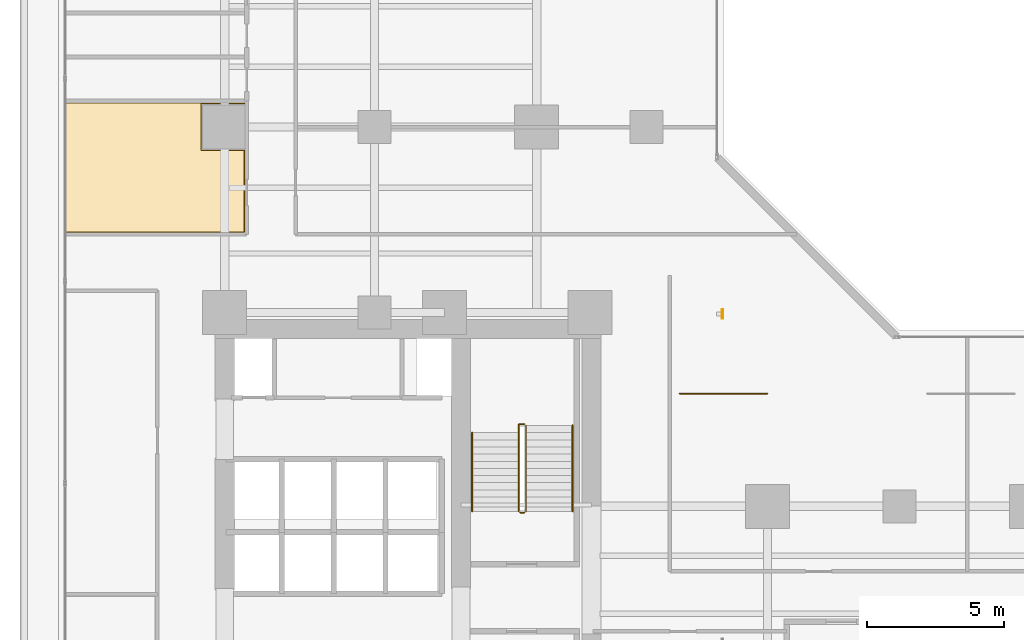
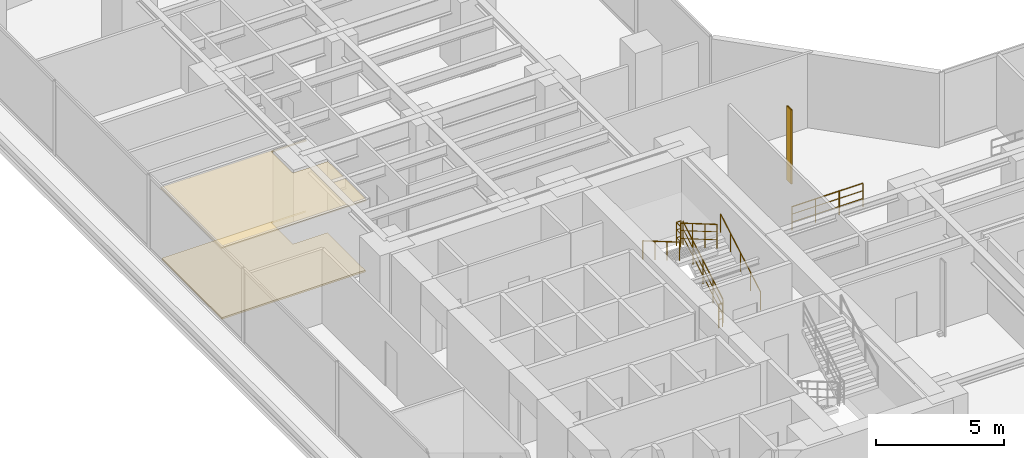
# One storey, part 28 of 29: 7 railings, 2 coverings, 1 shading device.
"""IFC4 building model written with IfcOpenShell, lengths in metres."""

from ifc_helpers import new_model, si_unit, direction, frame, origin, origin_2d, place, context, subcontext, project, spatial, polyline, hollow_rectangle, circle, outline, extrude, material, layer, layer_set, material_profile, profile_set, type_object, element, save


model = new_model("IFC4")

# Units and contexts
model_context = context("Model", 3, precision=1e-05, world=origin(), true_north=direction((0.0, 1.0)))
body_context = subcontext(model_context, "Body", "Model", "MODEL_VIEW")
ifc_project = project(units=[si_unit("LENGTHUNIT", "METRE"), si_unit("AREAUNIT", "SQUARE_METRE"), si_unit("VOLUMEUNIT", "CUBIC_METRE"), si_unit("PLANEANGLEUNIT", "RADIAN"), si_unit("MASSUNIT", "GRAM", prefix="KILO")], contexts=[model_context])

# Site, building, storey
site_placement = place(None, origin())
site = spatial("IfcSite", under=ifc_project, at=site_placement, CompositionType="ELEMENT")
building_placement = place(site_placement, origin())
building = spatial("IfcBuilding", under=site, at=building_placement, Name="Kolvaren Waterfront Exchange", CompositionType="ELEMENT")
storey_placement = place(building_placement, frame((0.0, 0.0, 29.60009765625)))
storey = spatial("IfcBuildingStorey", under=building, at=storey_placement, Name="L07", CompositionType="ELEMENT", Elevation=29.60009765625)

# Railing
ifc_material_1 = material(Name="Anodised bronze aluminium and laminated glass", Category="aluminium")
railing_type_1 = type_object("IfcRailingType", Name="ARC-BALUSTRADE-1150", PredefinedType="BALUSTRADE", material=ifc_material_1)
railing_1_placement = place(storey_placement, frame((24.0, 21.5, 0.0)))
element("IfcRailing", 1, at=railing_1_placement, inside=storey, type_object=railing_type_1, Name="L07 gallery balustrade 1", PredefinedType="BALUSTRADE", context=body_context, shape_type="SweptSolid", body=[
    extrude(circle(Radius=0.02392578125, at=origin_2d()), frame((0.0, 0.0, 1.1259765625), z_axis=(1.0, 0.0, 0.0), x_axis=(0.0, 1.0, 0.0)), (0.0, 0.0, 1.0), 3.199951171875),
    extrude(circle(Radius=0.01611328125, at=origin_2d()), frame((0.0, 0.0, 0.390869140625), z_axis=(1.0, 0.0, 0.0), x_axis=(0.0, 1.0, 0.0)), (0.0, 0.0, 1.0), 3.199951171875),
    extrude(circle(Radius=0.01611328125, at=origin_2d()), frame((0.0, 0.0, 0.7705078125), z_axis=(1.0, 0.0, 0.0), x_axis=(0.0, 1.0, 0.0)), (0.0, 0.0, 1.0), 3.199951171875),
    extrude(circle(Radius=0.02099609375, at=origin_2d()), origin(), (0.0, 0.0, 1.0), 1.101806640625),
    extrude(circle(Radius=0.02099609375, at=origin_2d()), frame((1.066650390625, 0.0, 0.0)), (0.0, 0.0, 1.0), 1.101806640625),
    extrude(circle(Radius=0.02099609375, at=origin_2d()), frame((2.13330078125, 0.0, 0.0)), (0.0, 0.0, 1.0), 1.101806640625),
    extrude(circle(Radius=0.02099609375, at=origin_2d()), frame((3.199951171875, 0.0, 0.0)), (0.0, 0.0, 1.0), 1.101806640625),
])

# Covering
ifc_material_2 = material(Name="Perforated bronze acoustic ceiling panel", Category="aluminium")
ifc_layer_1 = layer(ifc_material_2, 0.054931640625, Name="Perforated bronze acoustic ceiling panel")
ifc_layer_set_1 = layer_set([ifc_layer_1], Name="Perforated bronze acoustic ceiling panel")
covering_type_1 = type_object("IfcCoveringType", Name="ARC-CEIL-BAFFLE-55", PredefinedType="CEILING", material=ifc_layer_set_1)
covering_1_placement = place(storey_placement, frame((0.0, 0.0, 3.39501953125)))
element("IfcCovering", 2, at=covering_1_placement, inside=storey, type_object=covering_type_1, Name="L07 acoustic suspended ceiling 1", PredefinedType="CEILING", context=body_context, shape_type="SweptSolid", body=[
    extrude(outline(polyline([(8.18505859375, 30.360107421875), (6.610107421875, 30.360107421875), (6.610107421875, 32.0400390625), (8.18505859375, 32.0400390625), (8.18505859375, 32.10498046875), (1.64501953125, 32.10498046875), (1.64501953125, 27.344970703125), (8.18505859375, 27.344970703125), (8.18505859375, 30.360107421875)])), origin(), (0.0, 0.0, 1.0), 0.054931640625),
])

# Shading device
ifc_material_3 = material(Name="Anodised bronze aluminium 6063-T6", Category="aluminium")
ifc_material_profile = material_profile(ifc_material_3, hollow_rectangle(XDim=0.06005859375, YDim=0.35009765625, WallThickness=0.0048828125, at=origin_2d()), Name="BRZ-FIN-350x60x5")
ifc_profile_set = profile_set([ifc_material_profile], Name="Anodised bronze aluminium 6063-T6")
shading_device_type = type_object("IfcShadingDeviceType", Name="ARC-FIN-350", PredefinedType="USERDEFINED", material=ifc_profile_set)
shading_device_placement = place(storey_placement, frame((25.56005859375, 24.39990234375, 0.0), z_axis=(0.0, 0.0, 1.0), x_axis=(1.0, 0.0, 0.0)))
element("IfcShadingDevice", 3, at=shading_device_placement, inside=storey, type_object=shading_device_type, Name="L07 anodised bronze solar shading fin FIN-L07-E2", ObjectType="SOLAR FIN", PredefinedType="USERDEFINED", context=body_context, shape_type="SweptSolid", body=[
    extrude(hollow_rectangle(XDim=0.06005859375, YDim=0.35009765625, WallThickness=0.0048828125, at=origin_2d()), origin(), (0.0, 0.0, 1.0), 3.539794921875),
])

# Covering
ifc_material_4 = material(Name="Raised access steel-cementitious floor panel", Category="steel")
ifc_layer_2 = layer(ifc_material_4, 0.080078125, Name="Raised access steel-cementitious floor panel")
ifc_layer_set_2 = layer_set([ifc_layer_2], Name="Raised access steel-cementitious floor panel")
covering_type_2 = type_object("IfcCoveringType", Name="ARC-FLR-RAISED-80", PredefinedType="FLOORING", material=ifc_layer_set_2)
covering_2_placement = place(storey_placement, origin())
element("IfcCovering", 4, at=covering_2_placement, inside=storey, type_object=covering_type_2, Name="L07 floor finish 1", PredefinedType="FLOORING", context=body_context, shape_type="SweptSolid", body=[
    extrude(outline(polyline([(1.679931640625, 32.070068359375), (1.679931640625, 27.3798828125), (8.14990234375, 27.3798828125), (8.14990234375, 30.340087890625), (6.590087890625, 30.340087890625), (6.590087890625, 32.06005859375), (8.14990234375, 32.06005859375), (8.14990234375, 32.070068359375), (1.679931640625, 32.070068359375)])), origin(), (0.0, 0.0, 1.0), 0.079833984375),
])

# Railings
ifc_material_5 = material(Name="Stainless steel 316", Category="steel")
railing_type_2 = type_object("IfcRailingType", Name="ARC-GUARD-STAIR", PredefinedType="GUARDRAIL", material=ifc_material_5)
railing_2_placement = place(storey_placement, frame((18.409912109375, 17.219970703125, 0.15185546875)))
element("IfcRailing", 5, at=railing_2_placement, inside=storey, type_object=railing_type_2, Name="L07 ST2 stair guard 1", PredefinedType="GUARDRAIL", context=body_context, shape_type="SweptSolid", body=[
    extrude(circle(Radius=0.02392578125, at=origin_2d()), frame((0.0, 0.0, 1.1259765625), z_axis=(0.0, 0.86330811405, 0.504677223793), x_axis=(-1.0, 0.0, 0.0)), (0.0, 0.0, 1.0), 3.6142578125),
    extrude(circle(Radius=0.01611328125, at=origin_2d()), frame((0.0, 0.0, 0.390869140625), z_axis=(0.0, 0.86330811405, 0.504677223793), x_axis=(-1.0, 0.0, 0.0)), (0.0, 0.0, 1.0), 3.6142578125),
    extrude(circle(Radius=0.01611328125, at=origin_2d()), frame((0.0, 0.0, 0.7705078125), z_axis=(0.0, 0.86330811405, 0.504677223793), x_axis=(-1.0, 0.0, 0.0)), (0.0, 0.0, 1.0), 3.6142578125),
    extrude(circle(Radius=0.02099609375, at=origin_2d()), origin(), (0.0, 0.0, 1.0), 1.101806640625),
    extrude(circle(Radius=0.02099609375, at=origin_2d()), frame((0.0, 0.780029296875, 0.4560546875)), (0.0, 0.0, 1.0), 1.101806640625),
    extrude(circle(Radius=0.02099609375, at=origin_2d()), frame((0.0, 1.56005859375, 0.912109375)), (0.0, 0.0, 1.0), 1.101806640625),
    extrude(circle(Radius=0.02099609375, at=origin_2d()), frame((0.0, 2.340087890625, 1.367919921875)), (0.0, 0.0, 1.0), 1.101806640625),
    extrude(circle(Radius=0.02099609375, at=origin_2d()), frame((0.0, 3.1201171875, 1.823974609375)), (0.0, 0.0, 1.0), 1.101806640625),
])
railing_3_placement = place(storey_placement, frame((18.360107421875, 20.389892578125, 1.975830078125)))
element("IfcRailing", 6, at=railing_3_placement, inside=storey, type_object=railing_type_2, Name="L07 ST2 stair guard 2", PredefinedType="GUARDRAIL", context=body_context, shape_type="SweptSolid", body=[
    extrude(circle(Radius=0.02392578125, at=origin_2d()), frame((0.0, 0.0, 1.1259765625), z_axis=(-1.0, 0.0, 0.0), x_axis=(0.0, -1.0, 0.0)), (0.0, 0.0, 1.0), 0.210205078125),
    extrude(circle(Radius=0.01611328125, at=origin_2d()), frame((0.0, 0.0, 0.390869140625), z_axis=(-1.0, 0.0, 0.0), x_axis=(0.0, -1.0, 0.0)), (0.0, 0.0, 1.0), 0.210205078125),
    extrude(circle(Radius=0.01611328125, at=origin_2d()), frame((0.0, 0.0, 0.7705078125), z_axis=(-1.0, 0.0, 0.0), x_axis=(0.0, -1.0, 0.0)), (0.0, 0.0, 1.0), 0.210205078125),
    extrude(circle(Radius=0.02392578125, at=origin_2d()), frame((-0.210205078125, 0.0, 1.1259765625), z_axis=(0.0, -1.0, 0.0), x_axis=(1.0, 0.0, 0.0)), (0.0, 0.0, 1.0), 0.309814453125),
    extrude(circle(Radius=0.01611328125, at=origin_2d()), frame((-0.210205078125, 0.0, 0.390869140625), z_axis=(0.0, -1.0, 0.0), x_axis=(1.0, 0.0, 0.0)), (0.0, 0.0, 1.0), 0.309814453125),
    extrude(circle(Radius=0.01611328125, at=origin_2d()), frame((-0.210205078125, 0.0, 0.7705078125), z_axis=(0.0, -1.0, 0.0), x_axis=(1.0, 0.0, 0.0)), (0.0, 0.0, 1.0), 0.309814453125),
    extrude(circle(Radius=0.02099609375, at=origin_2d()), origin(), (0.0, 0.0, 1.0), 1.101806640625),
    extrude(circle(Radius=0.02099609375, at=origin_2d()), frame((-0.210205078125, 0.0, 0.0)), (0.0, 0.0, 1.0), 1.101806640625),
    extrude(circle(Radius=0.02099609375, at=origin_2d()), frame((-0.210205078125, -0.309814453125, 0.0)), (0.0, 0.0, 1.0), 1.101806640625),
])
railing_4_placement = place(storey_placement, frame((18.14990234375, 20.080078125, 2.1279296875)))
element("IfcRailing", 7, at=railing_4_placement, inside=storey, type_object=railing_type_2, Name="L07 ST2 stair guard 3", PredefinedType="GUARDRAIL", context=body_context, shape_type="SweptSolid", body=[
    extrude(circle(Radius=0.02392578125, at=origin_2d()), frame((0.0, 0.0, 1.1259765625), z_axis=(0.0, -0.863321491973, 0.504654338629), x_axis=(1.0, 0.0, 0.0)), (0.0, 0.0, 1.0), 3.31298828125),
    extrude(circle(Radius=0.01611328125, at=origin_2d()), frame((0.0, 0.0, 0.390869140625), z_axis=(0.0, -0.863321491973, 0.504654338629), x_axis=(1.0, 0.0, 0.0)), (0.0, 0.0, 1.0), 3.31298828125),
    extrude(circle(Radius=0.01611328125, at=origin_2d()), frame((0.0, 0.0, 0.7705078125), z_axis=(0.0, -0.863321491973, 0.504654338629), x_axis=(1.0, 0.0, 0.0)), (0.0, 0.0, 1.0), 3.31298828125),
    extrude(circle(Radius=0.02099609375, at=origin_2d()), origin(), (0.0, 0.0, 1.0), 1.101806640625),
    extrude(circle(Radius=0.02099609375, at=origin_2d()), frame((0.0, -0.953369140625, 0.557373046875)), (0.0, 0.0, 1.0), 1.101806640625),
    extrude(circle(Radius=0.02099609375, at=origin_2d()), frame((0.0, -1.90673828125, 1.114501953125)), (0.0, 0.0, 1.0), 1.101806640625),
    extrude(circle(Radius=0.02099609375, at=origin_2d()), frame((0.0, -2.860107421875, 1.671875)), (0.0, 0.0, 1.0), 1.101806640625),
])
railing_5_placement = place(storey_placement, frame((18.360107421875, 17.169921875, 0.0)))
element("IfcRailing", 8, at=railing_5_placement, inside=storey, type_object=railing_type_2, Name="L07 ST2 stair guard 4", PredefinedType="GUARDRAIL", context=body_context, shape_type="SweptSolid", body=[
    extrude(circle(Radius=0.02392578125, at=origin_2d()), frame((0.0, 0.0, 1.1259765625), z_axis=(-1.0, 0.0, 0.0), x_axis=(0.0, -1.0, 0.0)), (0.0, 0.0, 1.0), 0.16015625),
    extrude(circle(Radius=0.01611328125, at=origin_2d()), frame((0.0, 0.0, 0.390869140625), z_axis=(-1.0, 0.0, 0.0), x_axis=(0.0, -1.0, 0.0)), (0.0, 0.0, 1.0), 0.16015625),
    extrude(circle(Radius=0.01611328125, at=origin_2d()), frame((0.0, 0.0, 0.7705078125), z_axis=(-1.0, 0.0, 0.0), x_axis=(0.0, -1.0, 0.0)), (0.0, 0.0, 1.0), 0.16015625),
    extrude(circle(Radius=0.02099609375, at=origin_2d()), origin(), (0.0, 0.0, 1.0), 1.101806640625),
    extrude(circle(Radius=0.02099609375, at=origin_2d()), frame((-0.16015625, 0.0, 0.0)), (0.0, 0.0, 1.0), 1.101806640625),
])
railing_type_3 = type_object("IfcRailingType", Name="ARC-HANDRAIL-900", PredefinedType="HANDRAIL", material=ifc_material_5)
railing_6_placement = place(storey_placement, frame((20.110107421875, 17.219970703125, 0.15185546875)))
element("IfcRailing", 9, at=railing_6_placement, inside=storey, type_object=railing_type_3, Name="L07 ST2 stair handrail 1", PredefinedType="HANDRAIL", context=body_context, shape_type="SweptSolid", body=[
    extrude(circle(Radius=0.02392578125, at=origin_2d()), frame((0.0, 0.0, 0.8759765625), z_axis=(0.0, 0.86330811405, 0.504677223793), x_axis=(-1.0, 0.0, 0.0)), (0.0, 0.0, 1.0), 3.6142578125),
    extrude(circle(Radius=0.02099609375, at=origin_2d()), origin(), (0.0, 0.0, 1.0), 0.851806640625),
    extrude(circle(Radius=0.02099609375, at=origin_2d()), frame((0.0, 0.780029296875, 0.4560546875)), (0.0, 0.0, 1.0), 0.851806640625),
    extrude(circle(Radius=0.02099609375, at=origin_2d()), frame((0.0, 1.56005859375, 0.912109375)), (0.0, 0.0, 1.0), 0.851806640625),
    extrude(circle(Radius=0.02099609375, at=origin_2d()), frame((0.0, 2.340087890625, 1.367919921875)), (0.0, 0.0, 1.0), 0.851806640625),
    extrude(circle(Radius=0.02099609375, at=origin_2d()), frame((0.0, 3.1201171875, 1.823974609375)), (0.0, 0.0, 1.0), 0.851806640625),
])
railing_7_placement = place(storey_placement, frame((16.449951171875, 20.080078125, 2.1279296875)))
element("IfcRailing", 10, at=railing_7_placement, inside=storey, type_object=railing_type_3, Name="L07 ST2 stair handrail 2", PredefinedType="HANDRAIL", context=body_context, shape_type="SweptSolid", body=[
    extrude(circle(Radius=0.02392578125, at=origin_2d()), frame((0.0, 0.0, 0.8759765625), z_axis=(0.0, -0.863321491973, 0.504654338629), x_axis=(1.0, 0.0, 0.0)), (0.0, 0.0, 1.0), 3.31298828125),
    extrude(circle(Radius=0.02099609375, at=origin_2d()), origin(), (0.0, 0.0, 1.0), 0.851806640625),
    extrude(circle(Radius=0.02099609375, at=origin_2d()), frame((0.0, -0.953369140625, 0.557373046875)), (0.0, 0.0, 1.0), 0.851806640625),
    extrude(circle(Radius=0.02099609375, at=origin_2d()), frame((0.0, -1.90673828125, 1.114501953125)), (0.0, 0.0, 1.0), 0.851806640625),
    extrude(circle(Radius=0.02099609375, at=origin_2d()), frame((0.0, -2.860107421875, 1.671875)), (0.0, 0.0, 1.0), 0.851806640625),
])

save(model, "model.ifc")
